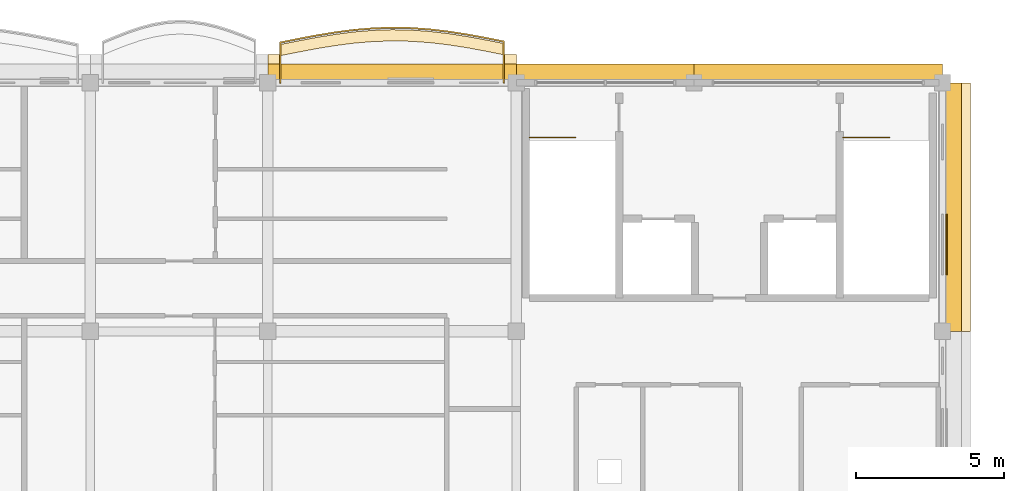
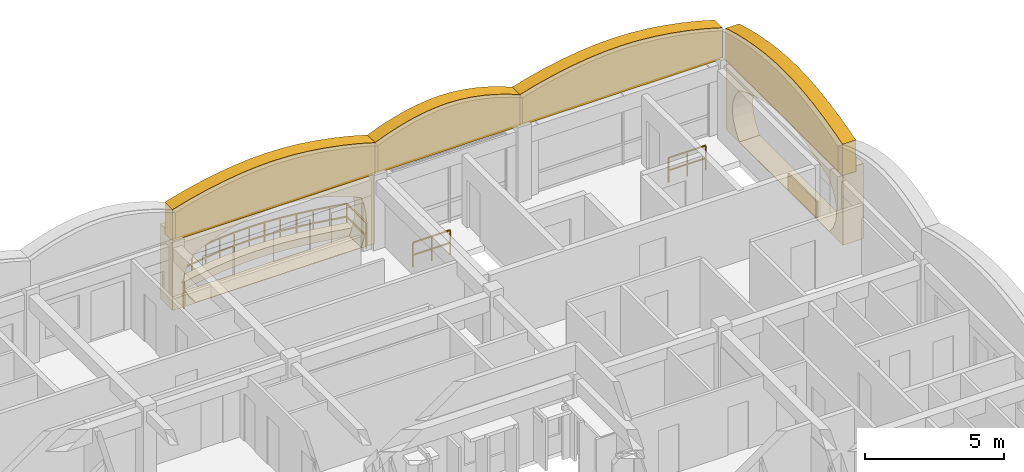
# One storey, part 28 of 28: 8 coverings, 3 railings.
"""IFC4 building model written with IfcOpenShell, lengths in metres."""

from ifc_helpers import new_model, si_unit, direction, frame, origin, origin_2d, place, context, subcontext, project, spatial, polyline, rectangle, outline, extrude, material, layer, layer_set, type_object, element, save


model = new_model("IFC4")

# Units and contexts
model_context = context("Model", 3, precision=1e-05, world=origin(), true_north=direction((0.0, 1.0)))
body_context = subcontext(model_context, "Body", "Model", "MODEL_VIEW")
ifc_project = project(units=[si_unit("LENGTHUNIT", "METRE"), si_unit("AREAUNIT", "SQUARE_METRE"), si_unit("VOLUMEUNIT", "CUBIC_METRE"), si_unit("PLANEANGLEUNIT", "RADIAN"), si_unit("MASSUNIT", "GRAM", prefix="KILO"), si_unit("THERMODYNAMICTEMPERATUREUNIT", "KELVIN")], contexts=[model_context])

# Site, building, storey
site_placement = place(None, origin())
site = spatial("IfcSite", under=ifc_project, at=site_placement, CompositionType="ELEMENT")
building_placement = place(site_placement, origin())
building = spatial("IfcBuilding", under=site, at=building_placement, Name="Thalorik Housing Commons", CompositionType="ELEMENT")
storey_placement = place(building_placement, frame((0.0, 0.0, 41.10009765625)))
storey = spatial("IfcBuildingStorey", under=building, at=storey_placement, Name="L12", CompositionType="ELEMENT", Elevation=41.10009765625)

# Coverings
ifc_material_1 = material(Name="Cobalt blue glazed ceramic facade tile panel", Category="masonry")
ifc_layer_1 = layer(ifc_material_1, 0.06005859375, Name="Cobalt blue glazed ceramic facade tile panel", Category="masonry")
ifc_layer_set_1 = layer_set([ifc_layer_1], Name="Cobalt blue glazed ceramic facade tile panel")
covering_type_1 = type_object("IfcCoveringType", Name="ARC-CLD-BLU-60", PredefinedType="CLADDING", material=ifc_layer_set_1)
covering_1_placement = place(storey_placement, frame((166.9375, 118.13134765625, 0.0498046875), z_axis=(0.0, 0.0, 1.0), x_axis=(0.0, 1.0, 0.0)))
element("IfcCovering", 1, at=covering_1_placement, inside=storey, type_object=covering_type_1, Name="L12 De Stijl Recessed Window Spandrel 3269", PredefinedType="CLADDING", context=body_context, shape_type="SweptSolid", body=[
    extrude(rectangle(XDim=2.0400390625, YDim=0.06005859375, at=origin_2d()), origin(), (0.0, 0.0, 1.0), 0.699951171875),
])
ifc_material_2 = material(Name="Precast concrete C40/50", Category="concrete")
ifc_layer_2 = layer(ifc_material_2, 0.85009765625, Name="Precast concrete C40/50", Category="concrete")
ifc_layer_set_2 = layer_set([ifc_layer_2], Name="Precast concrete C40/50")
covering_type_2 = type_object("IfcCoveringType", Name="ARC-CLD-CUSH-850", PredefinedType="CLADDING", material=ifc_layer_set_2)
covering_2_placement = place(storey_placement, frame((167.327392578125, 119.39990234375, 0.0), z_axis=(0.0, 0.0, 1.0), x_axis=(0.0, 1.0, 0.0)))
element("IfcCovering", 2, at=covering_2_placement, inside=storey, type_object=covering_type_2, Name="L12 White Precast Curved Cushion Bay Frame 3268", PredefinedType="CLADDING", context=body_context, shape_type="SweptSolid", body=[
    extrude(outline(polyline([(-4.199951171875, 0.0), (4.199951171875, 0.0), (4.199951171875, 3.300048828125), (-4.199951171875, 3.300048828125), (-4.199951171875, 0.0)]), holes=[polyline([(3.239990234375, 0.02490234375), (3.523193359375, 0.40087890625), (3.693359375, 0.776611328125), (3.75, 1.152587890625), (3.693359375, 1.5283203125), (3.523193359375, 1.904296875), (3.239990234375, 2.280029296875), (2.699951171875, 2.51123046875), (2.159912109375, 2.693115234375), (1.6201171875, 2.840087890625), (1.080078125, 2.94970703125), (0.5400390625, 3.01708984375), (0.0, 3.0400390625), (-0.5400390625, 3.01708984375), (-1.080078125, 2.94970703125), (-1.6201171875, 2.840087890625), (-2.159912109375, 2.693115234375), (-2.699951171875, 2.51123046875), (-3.239990234375, 2.280029296875), (-3.523193359375, 1.904296875), (-3.693359375, 1.5283203125), (-3.75, 1.152587890625), (-3.693359375, 0.776611328125), (-3.523193359375, 0.40087890625), (-3.239990234375, 0.02490234375), (3.239990234375, 0.02490234375)])]), frame((0.0, 0.425048828125, 0.0), z_axis=(0.0, -1.0, 0.0), x_axis=(1.0, 0.0, 0.0)), (0.0, 0.0, 1.0), 0.85009765625),
])
covering_3_placement = place(storey_placement, frame((148.199951171875, 124.12744140625, 0.0), z_axis=(0.0, 0.0, 1.0), x_axis=(-1.0, 0.0, 0.0)))
element("IfcCovering", 3, at=covering_3_placement, inside=storey, type_object=covering_type_2, Name="L12 White Precast Curved Cushion Bay Frame 3270", PredefinedType="CLADDING", context=body_context, shape_type="SweptSolid", body=[
    extrude(outline(polyline([(-4.199951171875, 0.0), (4.199951171875, 0.0), (4.199951171875, 3.300048828125), (-4.199951171875, 3.300048828125), (-4.199951171875, 0.0)]), holes=[polyline([(3.239990234375, 0.02490234375), (3.523193359375, 0.390869140625), (3.693359375, 0.756591796875), (3.75, 1.12255859375), (3.693359375, 1.48828125), (3.523193359375, 1.854248046875), (3.239990234375, 2.219970703125), (2.66748046875, 2.469482421875), (2.094970703125, 2.66552734375), (1.5224609375, 2.824462890625), (0.949951171875, 2.9423828125), (0.37744140625, 3.015380859375), (-0.195068359375, 3.0400390625), (-0.767578125, 3.015380859375), (-1.340087890625, 2.9423828125), (-1.91259765625, 2.824462890625), (-2.485107421875, 2.66552734375), (-3.0576171875, 2.469482421875), (-3.6298828125, 2.219970703125), (-3.750244140625, 1.854248046875), (-3.822509765625, 1.48828125), (-3.8466796875, 1.12255859375), (-3.822509765625, 0.756591796875), (-3.750244140625, 0.390869140625), (-3.6298828125, 0.02490234375), (3.239990234375, 0.02490234375)])]), frame((0.0, 0.425048828125, 0.0), z_axis=(0.0, -1.0, 0.0), x_axis=(1.0, 0.0, 0.0)), (0.0, 0.0, 1.0), 0.85009765625),
])
ifc_layer_3 = layer(ifc_material_2, 0.550048828125, Name="Precast concrete C40/50", Category="concrete")
ifc_layer_set_3 = layer_set([ifc_layer_3], Name="Precast concrete C40/50")
covering_type_3 = type_object("IfcCoveringType", Name="ARC-CLD-PAR-550", PredefinedType="CLADDING", material=ifc_layer_set_3)
for number, where, z_axis, x_axis, name in (
    (4, (167.1650390625, 119.39990234375, 3.059814453125), (0.0, 0.0, 1.0), (0.0, 1.0, 0.0), "L12 Block B Scalloped White Precast Parapet Crest 3402"),
    (5, (162.60009765625, 123.965087890625, 3.059814453125), (0.0, 0.0, 1.0), (-1.0, 0.0, 0.0), "L12 Block B Scalloped White Precast Parapet Crest 3403"),
):
    element("IfcCovering", number, at=place(storey_placement, frame(where, z_axis=z_axis, x_axis=x_axis)), inside=storey, type_object=covering_type_3, Name=name, PredefinedType="CLADDING", context=body_context, shape_type="SweptSolid", body=[
        extrude(outline(polyline([(-4.199951171875, 0.0), (4.199951171875, 0.0), (4.199951171875, 1.3798828125), (3.5, 1.58154296875), (2.800048828125, 1.744384765625), (2.10009765625, 1.877685546875), (1.39990234375, 1.977294921875), (0.699951171875, 2.0390625), (0.0, 2.06005859375), (-0.699951171875, 2.0390625), (-1.39990234375, 1.977294921875), (-2.10009765625, 1.877685546875), (-2.800048828125, 1.744384765625), (-3.5, 1.58154296875), (-4.199951171875, 1.3798828125), (-4.199951171875, 0.0)])), frame((0.0, 0.27490234375, 0.0), z_axis=(0.0, -1.0, 0.0), x_axis=(1.0, 0.0, 0.0)), (0.0, 0.0, 1.0), 0.550048828125),
    ])
covering_4_placement = place(storey_placement, frame((155.39990234375, 123.965087890625, 3.059814453125), z_axis=(0.0, 0.0, 1.0), x_axis=(-1.0, 0.0, 0.0)))
element("IfcCovering", 6, at=covering_4_placement, inside=storey, type_object=covering_type_3, Name="L12 Block B Scalloped White Precast Parapet Crest 3404", PredefinedType="CLADDING", context=body_context, shape_type="SweptSolid", body=[
    extrude(outline(polyline([(-3.0, 0.0), (3.0, 0.0), (3.0, 1.3798828125), (2.5, 1.58154296875), (2.0, 1.744384765625), (1.5, 1.877685546875), (1.0, 1.977294921875), (0.5, 2.0390625), (0.0, 2.06005859375), (-0.5, 2.0390625), (-1.0, 1.977294921875), (-1.5, 1.877685546875), (-2.0, 1.744384765625), (-2.5, 1.58154296875), (-3.0, 1.3798828125), (-3.0, 0.0)])), frame((0.0, 0.27490234375, 0.0), z_axis=(0.0, -1.0, 0.0), x_axis=(1.0, 0.0, 0.0)), (0.0, 0.0, 1.0), 0.550048828125),
])
covering_5_placement = place(storey_placement, frame((148.199951171875, 123.965087890625, 3.059814453125), z_axis=(0.0, 0.0, 1.0), x_axis=(-1.0, 0.0, 0.0)))
element("IfcCovering", 7, at=covering_5_placement, inside=storey, type_object=covering_type_3, Name="L12 Block B Scalloped White Precast Parapet Crest 3405", PredefinedType="CLADDING", context=body_context, shape_type="SweptSolid", body=[
    extrude(outline(polyline([(-4.199951171875, 0.0), (4.199951171875, 0.0), (4.199951171875, 1.3798828125), (3.5, 1.58154296875), (2.800048828125, 1.744384765625), (2.10009765625, 1.877685546875), (1.39990234375, 1.977294921875), (0.699951171875, 2.0390625), (0.0, 2.06005859375), (-0.699951171875, 2.0390625), (-1.39990234375, 1.977294921875), (-2.10009765625, 1.877685546875), (-2.800048828125, 1.744384765625), (-3.5, 1.58154296875), (-4.199951171875, 1.3798828125), (-4.199951171875, 0.0)])), frame((0.0, 0.27490234375, 0.0), z_axis=(0.0, -1.0, 0.0), x_axis=(1.0, 0.0, 0.0)), (0.0, 0.0, 1.0), 0.550048828125),
])
ifc_material_3 = material(Name="Planted vegetated substrate and terracotta trough", Category="masonry")
ifc_layer_4 = layer(ifc_material_3, 0.340087890625, Name="Planted vegetated substrate and terracotta trough", Category="masonry")
ifc_layer_set_4 = layer_set([ifc_layer_4], Name="Planted vegetated substrate and terracotta trough")
covering_type_4 = type_object("IfcCoveringType", Name="ARC-COV-PLANTER", PredefinedType="USERDEFINED", material=ifc_layer_set_4)
covering_6_placement = place(storey_placement, origin())
element("IfcCovering", 8, at=covering_6_placement, inside=storey, type_object=covering_type_4, Name="L12 Balcony Slab-Edge Planted Trough 5563", ObjectType="PLANTER", PredefinedType="USERDEFINED", context=body_context, shape_type="SweptSolid", body=[
    extrude(outline(polyline([(151.97998046875, 124.923583984375), (151.35009765625, 125.049560546875), (150.719970703125, 125.165283203125), (150.090087890625, 125.26318359375), (149.4599609375, 125.33642578125), (148.830078125, 125.380859375), (148.199951171875, 125.39306640625), (147.570068359375, 125.372314453125), (146.93994140625, 125.3203125), (146.31005859375, 125.240234375), (145.679931640625, 125.1376953125), (145.050048828125, 125.01904296875), (144.419921875, 124.892822265625), (144.419921875, 124.5126953125), (145.050048828125, 124.63916015625), (145.679931640625, 124.757568359375), (146.31005859375, 124.8603515625), (146.93994140625, 124.940185546875), (147.570068359375, 124.992431640625), (148.199951171875, 125.012939453125), (148.830078125, 125.000732421875), (149.4599609375, 124.95654296875), (150.090087890625, 124.883056640625), (150.719970703125, 124.785400390625), (151.35009765625, 124.669677734375), (151.97998046875, 124.543701171875), (151.97998046875, 124.923583984375)])), origin(), (0.0, 0.0, 1.0), 0.33984375),
])

# Railings
ifc_material_4 = material(Name="Steel S355", Category="steel")
railing_type_1 = type_object("IfcRailingType", Name="ARC-RL-BAL-115", PredefinedType="BALUSTRADE", material=ifc_material_4)
railing_1_placement = place(storey_placement, frame((151.97998046875, 123.60009765625, 0.0)))
element("IfcRailing", 9, at=railing_1_placement, inside=storey, type_object=railing_type_1, Name="L12 Cushion Balcony Guardrail 247", PredefinedType="BALUSTRADE", context=body_context, shape_type="SweptSolid", body=[
    extrude(rectangle(XDim=0.050048828125, YDim=0.050048828125, at=origin_2d()), frame((0.0, 0.0, 1.125), z_axis=(0.0, 1.0, 0.0), x_axis=(-1.0, 0.0, 0.0)), (0.0, 0.0, 1.0), 1.3935546875),
    extrude(rectangle(XDim=0.050048828125, YDim=0.050048828125, at=origin_2d()), frame((0.0, 0.0, 0.5498046875), z_axis=(0.0, 1.0, 0.0), x_axis=(-1.0, 0.0, 0.0)), (0.0, 0.0, 1.0), 1.3935546875),
    extrude(rectangle(XDim=0.050048828125, YDim=0.050048828125, at=origin_2d()), frame((0.0, 1.3935546875, 1.125), z_axis=(-0.980580675691, 0.196116135138, 0.0), x_axis=(-0.196116135138, -0.980580675691, 0.0)), (0.0, 0.0, 1.0), 0.642333984375),
    extrude(rectangle(XDim=0.050048828125, YDim=0.050048828125, at=origin_2d()), frame((0.0, 1.3935546875, 0.5498046875), z_axis=(-0.980580675691, 0.196116135138, 0.0), x_axis=(-0.196116135138, -0.980580675691, 0.0)), (0.0, 0.0, 1.0), 0.642333984375),
    extrude(rectangle(XDim=0.050048828125, YDim=0.050048828125, at=origin_2d()), frame((-0.6298828125, 1.51953125, 1.125), z_axis=(-0.983551311417, 0.180628950644, 0.0), x_axis=(-0.180628950644, -0.983551311417, 0.0)), (0.0, 0.0, 1.0), 0.640625),
    extrude(rectangle(XDim=0.050048828125, YDim=0.050048828125, at=origin_2d()), frame((-0.6298828125, 1.51953125, 0.5498046875), z_axis=(-0.983551311417, 0.180628950644, 0.0), x_axis=(-0.180628950644, -0.983551311417, 0.0)), (0.0, 0.0, 1.0), 0.640625),
    extrude(rectangle(XDim=0.050048828125, YDim=0.050048828125, at=origin_2d()), frame((-1.260009765625, 1.63525390625, 1.125), z_axis=(-0.988193907646, 0.153208357775, 0.0), x_axis=(-0.153208357775, -0.988193907646, 0.0)), (0.0, 0.0, 1.0), 0.637451171875),
    extrude(rectangle(XDim=0.050048828125, YDim=0.050048828125, at=origin_2d()), frame((-1.260009765625, 1.63525390625, 0.5498046875), z_axis=(-0.988193907646, 0.153208357775, 0.0), x_axis=(-0.153208357775, -0.988193907646, 0.0)), (0.0, 0.0, 1.0), 0.637451171875),
    extrude(rectangle(XDim=0.050048828125, YDim=0.050048828125, at=origin_2d()), frame((-1.889892578125, 1.73291015625, 1.125), z_axis=(-0.993268305841, 0.115836404517, 0.0), x_axis=(-0.115836404517, -0.993268305841, 0.0)), (0.0, 0.0, 1.0), 0.63427734375),
    extrude(rectangle(XDim=0.050048828125, YDim=0.050048828125, at=origin_2d()), frame((-1.889892578125, 1.73291015625, 0.5498046875), z_axis=(-0.993268305841, 0.115836404517, 0.0), x_axis=(-0.115836404517, -0.993268305841, 0.0)), (0.0, 0.0, 1.0), 0.63427734375),
    extrude(rectangle(XDim=0.050048828125, YDim=0.050048828125, at=origin_2d()), frame((-2.52001953125, 1.806396484375, 1.125), z_axis=(-0.997548181954, 0.06998303137, 0.0), x_axis=(-0.06998303137, -0.997548181954, 0.0)), (0.0, 0.0, 1.0), 0.63134765625),
    extrude(rectangle(XDim=0.050048828125, YDim=0.050048828125, at=origin_2d()), frame((-2.52001953125, 1.806396484375, 0.5498046875), z_axis=(-0.997548181954, 0.06998303137, 0.0), x_axis=(-0.06998303137, -0.997548181954, 0.0)), (0.0, 0.0, 1.0), 0.63134765625),
    extrude(rectangle(XDim=0.050048828125, YDim=0.050048828125, at=origin_2d()), frame((-3.14990234375, 1.8505859375, 1.125), z_axis=(-0.999812409092, 0.01936870223, 0.0), x_axis=(-0.01936870223, -0.999812409092, 0.0)), (0.0, 0.0, 1.0), 0.630126953125),
    extrude(rectangle(XDim=0.050048828125, YDim=0.050048828125, at=origin_2d()), frame((-3.14990234375, 1.8505859375, 0.5498046875), z_axis=(-0.999812409092, 0.01936870223, 0.0), x_axis=(-0.01936870223, -0.999812409092, 0.0)), (0.0, 0.0, 1.0), 0.630126953125),
    extrude(rectangle(XDim=0.050048828125, YDim=0.050048828125, at=origin_2d()), frame((-3.780029296875, 1.86279296875, 1.125), z_axis=(-0.999470404779, -0.0325408969, 0.0), x_axis=(0.0325408969, -0.999470404779, 0.0)), (0.0, 0.0, 1.0), 0.630126953125),
    extrude(rectangle(XDim=0.050048828125, YDim=0.050048828125, at=origin_2d()), frame((-3.780029296875, 1.86279296875, 0.5498046875), z_axis=(-0.999470404779, -0.0325408969, 0.0), x_axis=(0.0325408969, -0.999470404779, 0.0)), (0.0, 0.0, 1.0), 0.630126953125),
    extrude(rectangle(XDim=0.050048828125, YDim=0.050048828125, at=origin_2d()), frame((-4.409912109375, 1.84228515625, 1.125), z_axis=(-0.996612012858, -0.08224655511, 0.0), x_axis=(0.08224655511, -0.996612012858, 0.0)), (0.0, 0.0, 1.0), 0.63232421875),
    extrude(rectangle(XDim=0.050048828125, YDim=0.050048828125, at=origin_2d()), frame((-4.409912109375, 1.84228515625, 0.5498046875), z_axis=(-0.996612012858, -0.08224655511, 0.0), x_axis=(0.08224655511, -0.996612012858, 0.0)), (0.0, 0.0, 1.0), 0.63232421875),
    extrude(rectangle(XDim=0.050048828125, YDim=0.050048828125, at=origin_2d()), frame((-5.0400390625, 1.790283203125, 1.125), z_axis=(-0.992015413663, -0.126116688249, 0.0), x_axis=(0.126116688249, -0.992015413663, 0.0)), (0.0, 0.0, 1.0), 0.635009765625),
    extrude(rectangle(XDim=0.050048828125, YDim=0.050048828125, at=origin_2d()), frame((-5.0400390625, 1.790283203125, 0.5498046875), z_axis=(-0.992015413663, -0.126116688249, 0.0), x_axis=(0.126116688249, -0.992015413663, 0.0)), (0.0, 0.0, 1.0), 0.635009765625),
    extrude(rectangle(XDim=0.050048828125, YDim=0.050048828125, at=origin_2d()), frame((-5.669921875, 1.710205078125, 1.125), z_axis=(-0.98695644982, -0.160987472055, 0.0), x_axis=(0.160987472055, -0.98695644982, 0.0)), (0.0, 0.0, 1.0), 0.638427734375),
    extrude(rectangle(XDim=0.050048828125, YDim=0.050048828125, at=origin_2d()), frame((-5.669921875, 1.710205078125, 0.5498046875), z_axis=(-0.98695644982, -0.160987472055, 0.0), x_axis=(0.160987472055, -0.98695644982, 0.0)), (0.0, 0.0, 1.0), 0.638427734375),
    extrude(rectangle(XDim=0.050048828125, YDim=0.050048828125, at=origin_2d()), frame((-6.300048828125, 1.607421875, 1.125), z_axis=(-0.982785832187, -0.184748499461, 0.0), x_axis=(0.184748499461, -0.982785832187, 0.0)), (0.0, 0.0, 1.0), 0.640869140625),
    extrude(rectangle(XDim=0.050048828125, YDim=0.050048828125, at=origin_2d()), frame((-6.300048828125, 1.607421875, 0.5498046875), z_axis=(-0.982785832187, -0.184748499461, 0.0), x_axis=(0.184748499461, -0.982785832187, 0.0)), (0.0, 0.0, 1.0), 0.640869140625),
    extrude(rectangle(XDim=0.050048828125, YDim=0.050048828125, at=origin_2d()), frame((-6.929931640625, 1.489013671875, 1.125), z_axis=(-0.980522185975, -0.196408357284, 0.0), x_axis=(0.196408357284, -0.980522185975, 0.0)), (0.0, 0.0, 1.0), 0.642578125),
    extrude(rectangle(XDim=0.050048828125, YDim=0.050048828125, at=origin_2d()), frame((-6.929931640625, 1.489013671875, 0.5498046875), z_axis=(-0.980522185975, -0.196408357284, 0.0), x_axis=(0.196408357284, -0.980522185975, 0.0)), (0.0, 0.0, 1.0), 0.642578125),
    extrude(rectangle(XDim=0.050048828125, YDim=0.050048828125, at=origin_2d()), frame((-7.56005859375, 1.36279296875, 1.125), z_axis=(0.0, -1.0, 0.0), x_axis=(1.0, 0.0, 0.0)), (0.0, 0.0, 1.0), 1.36279296875),
    extrude(rectangle(XDim=0.050048828125, YDim=0.050048828125, at=origin_2d()), frame((-7.56005859375, 1.36279296875, 0.5498046875), z_axis=(0.0, -1.0, 0.0), x_axis=(1.0, 0.0, 0.0)), (0.0, 0.0, 1.0), 1.36279296875),
    extrude(rectangle(XDim=0.0419921875, YDim=0.0419921875, at=origin_2d()), origin(), (0.0, 0.0, 1.0), 1.099853515625),
    extrude(rectangle(XDim=0.0419921875, YDim=0.0419921875, at=origin_2d()), frame((0.0, 1.3935546875, 0.0)), (0.0, 0.0, 1.0), 1.099853515625),
    extrude(rectangle(XDim=0.0419921875, YDim=0.0419921875, at=origin_2d()), frame((-0.6298828125, 1.51953125, 0.0)), (0.0, 0.0, 1.0), 1.099853515625),
    extrude(rectangle(XDim=0.0419921875, YDim=0.0419921875, at=origin_2d()), frame((-1.260009765625, 1.63525390625, 0.0)), (0.0, 0.0, 1.0), 1.099853515625),
    extrude(rectangle(XDim=0.0419921875, YDim=0.0419921875, at=origin_2d()), frame((-1.889892578125, 1.73291015625, 0.0)), (0.0, 0.0, 1.0), 1.099853515625),
    extrude(rectangle(XDim=0.0419921875, YDim=0.0419921875, at=origin_2d()), frame((-2.52001953125, 1.806396484375, 0.0)), (0.0, 0.0, 1.0), 1.099853515625),
    extrude(rectangle(XDim=0.0419921875, YDim=0.0419921875, at=origin_2d()), frame((-3.14990234375, 1.8505859375, 0.0)), (0.0, 0.0, 1.0), 1.099853515625),
    extrude(rectangle(XDim=0.0419921875, YDim=0.0419921875, at=origin_2d()), frame((-3.780029296875, 1.86279296875, 0.0)), (0.0, 0.0, 1.0), 1.099853515625),
    extrude(rectangle(XDim=0.0419921875, YDim=0.0419921875, at=origin_2d()), frame((-4.409912109375, 1.84228515625, 0.0)), (0.0, 0.0, 1.0), 1.099853515625),
    extrude(rectangle(XDim=0.0419921875, YDim=0.0419921875, at=origin_2d()), frame((-5.0400390625, 1.790283203125, 0.0)), (0.0, 0.0, 1.0), 1.099853515625),
    extrude(rectangle(XDim=0.0419921875, YDim=0.0419921875, at=origin_2d()), frame((-5.669921875, 1.710205078125, 0.0)), (0.0, 0.0, 1.0), 1.099853515625),
    extrude(rectangle(XDim=0.0419921875, YDim=0.0419921875, at=origin_2d()), frame((-6.300048828125, 1.607421875, 0.0)), (0.0, 0.0, 1.0), 1.099853515625),
    extrude(rectangle(XDim=0.0419921875, YDim=0.0419921875, at=origin_2d()), frame((-6.929931640625, 1.489013671875, 0.0)), (0.0, 0.0, 1.0), 1.099853515625),
    extrude(rectangle(XDim=0.0419921875, YDim=0.0419921875, at=origin_2d()), frame((-7.56005859375, 1.36279296875, 0.0)), (0.0, 0.0, 1.0), 1.099853515625),
    extrude(rectangle(XDim=0.0419921875, YDim=0.0419921875, at=origin_2d()), frame((-7.56005859375, 0.0, 0.0)), (0.0, 0.0, 1.0), 1.099853515625),
])
railing_type_2 = type_object("IfcRailingType", Name="ARC-RL-STR-GRD110", PredefinedType="GUARDRAIL", material=ifc_material_4)
railing_2_placement = place(storey_placement, frame((152.85009765625, 121.75, 0.0)))
element("IfcRailing", 10, at=railing_2_placement, inside=storey, type_object=railing_type_2, Name="L12 ST-B1 top well guard 1", PredefinedType="GUARDRAIL", context=body_context, shape_type="SweptSolid", body=[
    extrude(rectangle(XDim=0.048095703125, YDim=0.048095703125, at=origin_2d()), frame((0.0, 0.0, 1.076171875), z_axis=(1.0, 0.0, 0.0), x_axis=(0.0, 1.0, 0.0)), (0.0, 0.0, 1.0), 1.5498046875),
    extrude(rectangle(XDim=0.048095703125, YDim=0.048095703125, at=origin_2d()), frame((0.0, 0.0, 0.52587890625), z_axis=(1.0, 0.0, 0.0), x_axis=(0.0, 1.0, 0.0)), (0.0, 0.0, 1.0), 1.5498046875),
    extrude(rectangle(XDim=0.0419921875, YDim=0.0419921875, at=origin_2d()), origin(), (0.0, 0.0, 1.0), 1.052001953125),
    extrude(rectangle(XDim=0.0419921875, YDim=0.0419921875, at=origin_2d()), frame((0.77490234375, 0.0, 0.0)), (0.0, 0.0, 1.0), 1.052001953125),
    extrude(rectangle(XDim=0.0419921875, YDim=0.0419921875, at=origin_2d()), frame((1.5498046875, 0.0, 0.0)), (0.0, 0.0, 1.0), 1.052001953125),
])
railing_3_placement = place(storey_placement, frame((163.449951171875, 121.75, 0.0)))
element("IfcRailing", 11, at=railing_3_placement, inside=storey, type_object=railing_type_2, Name="L12 ST-B2 top well guard 1", PredefinedType="GUARDRAIL", context=body_context, shape_type="SweptSolid", body=[
    extrude(rectangle(XDim=0.048095703125, YDim=0.048095703125, at=origin_2d()), frame((0.0, 0.0, 1.076171875), z_axis=(1.0, 0.0, 0.0), x_axis=(0.0, 1.0, 0.0)), (0.0, 0.0, 1.0), 1.550048828125),
    extrude(rectangle(XDim=0.048095703125, YDim=0.048095703125, at=origin_2d()), frame((0.0, 0.0, 0.52587890625), z_axis=(1.0, 0.0, 0.0), x_axis=(0.0, 1.0, 0.0)), (0.0, 0.0, 1.0), 1.550048828125),
    extrude(rectangle(XDim=0.0419921875, YDim=0.0419921875, at=origin_2d()), origin(), (0.0, 0.0, 1.0), 1.052001953125),
    extrude(rectangle(XDim=0.0419921875, YDim=0.0419921875, at=origin_2d()), frame((0.77490234375, 0.0, 0.0)), (0.0, 0.0, 1.0), 1.052001953125),
    extrude(rectangle(XDim=0.0419921875, YDim=0.0419921875, at=origin_2d()), frame((1.550048828125, 0.0, 0.0)), (0.0, 0.0, 1.0), 1.052001953125),
])

save(model, "model.ifc")
